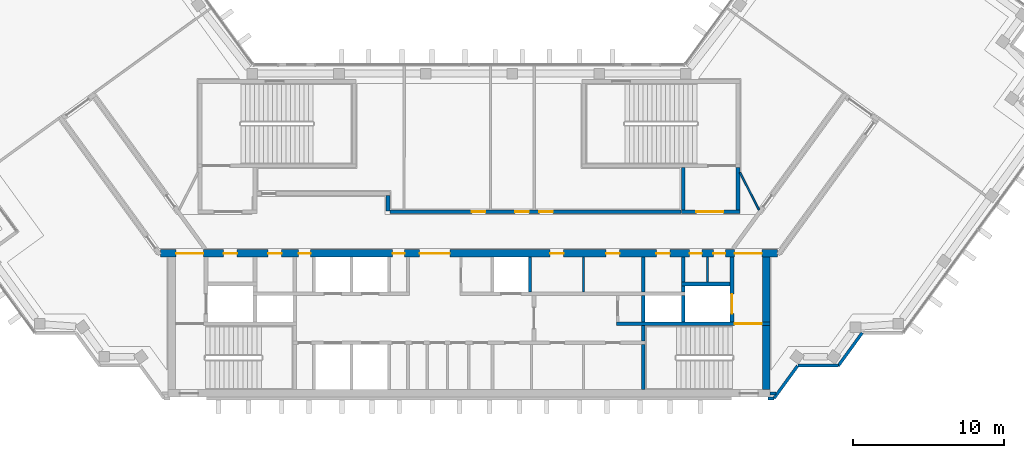
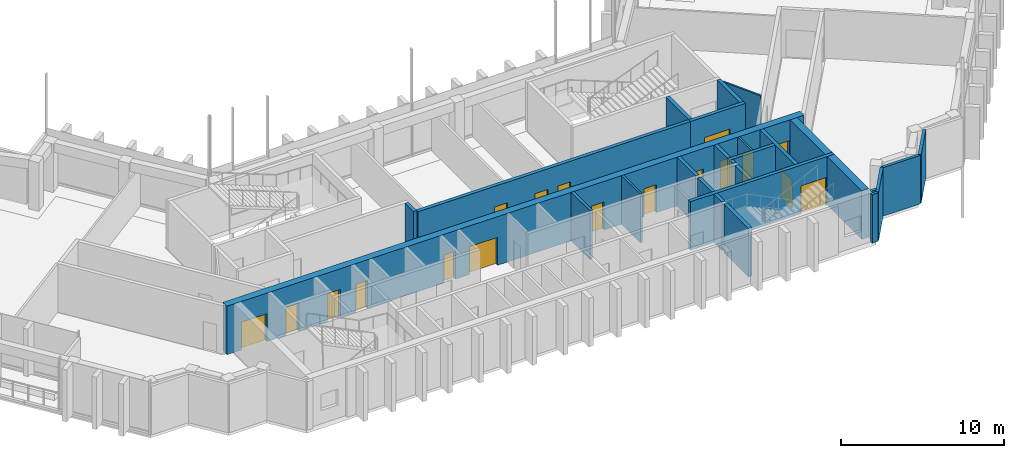
# One storey, part 11 of 14: 27 walls, 18 doors, 18 openings.
"""IFC4 building model written with IfcOpenShell, lengths in metres."""

from ifc_helpers import new_model, si_unit, direction, frame, frame_2d, origin, place, context, subcontext, project, spatial, rectangle, extrude, material, layer, layer_set, type_object, element, fill, save


model = new_model("IFC4")

# Units and contexts
model_context = context("Model", 3, precision=1e-05, world=origin(), true_north=direction((0.0, 1.0)))
body_context = subcontext(model_context, "Body", "Model", "MODEL_VIEW")
ifc_project = project(units=[si_unit("LENGTHUNIT", "METRE"), si_unit("AREAUNIT", "SQUARE_METRE"), si_unit("VOLUMEUNIT", "CUBIC_METRE"), si_unit("PLANEANGLEUNIT", "RADIAN"), si_unit("MASSUNIT", "GRAM", prefix="KILO")], contexts=[model_context])

# Site, building, storey
site_placement = place(None, origin())
site = spatial("IfcSite", under=ifc_project, at=site_placement, CompositionType="ELEMENT")
building_placement = place(site_placement, origin())
building = spatial("IfcBuilding", under=site, at=building_placement, Name="Quipu Civic Tower", CompositionType="ELEMENT")
storey_placement = place(building_placement, frame((0.0, 0.0, 257.0)))
storey = spatial("IfcBuildingStorey", under=building, at=storey_placement, Name="L60", CompositionType="ELEMENT", Elevation=257.0)

# Walls
ifc_material_1 = material(Name="Concrete C70/85", Category="concrete")
ifc_layer_1 = layer(ifc_material_1, 0.25)
ifc_layer_set_1 = layer_set([ifc_layer_1], Name="Concrete C70/85")
wall_type_1 = type_object("IfcWallType", Name="Core wall 250", PredefinedType="SHEAR", material=ifc_layer_set_1)
wall_1_placement = place(storey_placement, frame((11.574951171875, -10.5, 0.0), z_axis=(0.0, 0.0, 1.0), x_axis=(0.0, 1.0, 0.0)))
element("IfcWall", 1, at=wall_1_placement, inside=storey, type_object=wall_type_1, Name="Core wall", PredefinedType="SHEAR", context=body_context, shape_type="SweptSolid", body=[
    extrude(rectangle(XDim=3.0, YDim=0.25, at=frame_2d((1.5, 0.0))), origin(), (0.0, 0.0, 1.0), 3.64990234375),
])
wall_2_placement = place(storey_placement, frame((11.574951171875, -7.25, 0.0), z_axis=(0.0, 0.0, 1.0), x_axis=(0.0, 1.0, 0.0)))
element("IfcWall", 2, at=wall_2_placement, inside=storey, type_object=wall_type_1, Name="Core wall", PredefinedType="SHEAR", context=body_context, shape_type="SweptSolid", body=[
    extrude(rectangle(XDim=1.0, YDim=0.25, at=frame_2d((0.5, 0.0))), origin(), (0.0, 0.0, 1.0), 3.64990234375),
])

# Wall, opening, door
wall_3_placement = place(storey_placement, frame((20.0, -6.125, 0.0), z_axis=(0.0, 0.0, 1.0), x_axis=(-1.0, 0.0, 0.0)))
wall_3 = element("IfcWall", 3, at=wall_3_placement, inside=storey, type_object=wall_type_1, Name="Core wall", PredefinedType="SHEAR", context=body_context, shape_type="SweptSolid", body=[
    extrude(rectangle(XDim=10.199951171875, YDim=0.25, at=frame_2d((5.10009765625, 0.0))), origin(), (0.0, 0.0, 1.0), 3.64990234375),
])
opening_1_placement = place(wall_3_placement, frame((0.550048828125, 0.0, 0.0)))
opening_1 = element("IfcOpeningElement", 4, at=opening_1_placement, cuts=wall_3, Name="Opening CD-11", PredefinedType="OPENING", context=body_context, shape_type="SweptSolid", body=[
    extrude(rectangle(XDim=1.800048828125, YDim=2.10009765625, at=frame_2d((0.89990234375, 1.050048828125))), frame((0.0, 0.135009765625, 0.0), z_axis=(0.0, -1.0, 0.0), x_axis=(1.0, 0.0, 0.0)), (0.0, 0.0, 1.0), 0.27001953125),
])
ifc_material_2 = material(Name="Fire rated steel door", Category="steel")
door_type_1 = type_object("IfcDoorType", Name="Fire door FD90 double 1800 x 2100", OperationType="NOTDEFINED", PredefinedType="DOOR", material=ifc_material_2)
door_1_placement = place(opening_1_placement, origin())
door_1 = element("IfcDoor", 5, at=door_1_placement, inside=storey, type_object=door_type_1, Name="Door", OperationType="DOUBLE_DOOR_SINGLE_SWING", OverallHeight=2.10009765625, OverallWidth=1.800048828125, PredefinedType="DOOR", context=body_context, shape_type="SweptSolid", body=[
    extrude(rectangle(XDim=1.800048828125, YDim=2.10009765625, at=frame_2d((0.89990234375, 1.050048828125))), frame((0.0, 0.02490234375, 0.0), z_axis=(0.0, -1.0, 0.0), x_axis=(1.0, 0.0, 0.0)), (0.0, 0.0, 1.0), 0.050048828125),
])
fill(opening_1, door_1)

# Walls
for number, where, z_axis, x_axis, name in (
    (6, (11.574951171875, -6.0, 0.0), (0.0, 0.0, 1.0), (0.0, 1.0, 0.0), "Core wall"),
    (7, (14.22509765625, -6.0, 0.0), (0.0, 0.0, 1.0), (0.0, 1.0, 0.0), "Core wall"),
):
    element("IfcWall", number, at=place(storey_placement, frame(where, z_axis=z_axis, x_axis=x_axis)), inside=storey, type_object=wall_type_1, Name=name, PredefinedType="SHEAR", context=body_context, shape_type="SweptSolid", body=[
        extrude(rectangle(XDim=1.75, YDim=0.25, at=frame_2d((0.875, 0.0))), origin(), (0.0, 0.0, 1.0), 3.64990234375),
    ])

# Wall, opening, door
wall_4_placement = place(storey_placement, frame((17.47509765625, -6.0, 0.0), z_axis=(0.0, 0.0, 1.0), x_axis=(0.0, 1.0, 0.0)))
wall_4 = element("IfcWall", 8, at=wall_4_placement, inside=storey, type_object=wall_type_1, Name="Core wall", PredefinedType="SHEAR", context=body_context, shape_type="SweptSolid", body=[
    extrude(rectangle(XDim=4.300048828125, YDim=0.25, at=frame_2d((2.14990234375, 0.0))), origin(), (0.0, 0.0, 1.0), 3.64990234375),
])
opening_2_placement = place(wall_4_placement, frame((0.550048828125, 0.0, 0.0)))
opening_2 = element("IfcOpeningElement", 9, at=opening_2_placement, cuts=wall_4, Name="Opening LD-FF2", PredefinedType="OPENING", context=body_context, shape_type="SweptSolid", body=[
    extrude(rectangle(XDim=1.300048828125, YDim=2.10009765625, at=frame_2d((0.64990234375, 1.050048828125))), frame((0.0, 0.135009765625, 0.0), z_axis=(0.0, -1.0, 0.0), x_axis=(1.0, 0.0, 0.0)), (0.0, 0.0, 1.0), 0.27001953125),
])
ifc_material_3 = material(Name="Stainless steel", Category="steel")
door_type_2 = type_object("IfcDoorType", Name="Lift landing door 1300 x 2100", OperationType="DOUBLE_DOOR_SLIDING", PredefinedType="DOOR", material=ifc_material_3)
door_2_placement = place(opening_2_placement, origin())
door_2 = element("IfcDoor", 10, at=door_2_placement, inside=storey, type_object=door_type_2, Name="Landing door FF2", OperationType="DOUBLE_DOOR_SLIDING", OverallHeight=2.10009765625, OverallWidth=1.300048828125, PredefinedType="DOOR", context=body_context, shape_type="SweptSolid", body=[
    extrude(rectangle(XDim=1.300048828125, YDim=2.10009765625, at=frame_2d((0.64990234375, 1.050048828125))), frame((0.0, 0.02490234375, 0.0), z_axis=(0.0, -1.0, 0.0), x_axis=(1.0, 0.0, 0.0)), (0.0, 0.0, 1.0), 0.050048828125),
])
fill(opening_2, door_2)

# Walls
wall_5_placement = place(storey_placement, frame((11.574951171875, -4.0, 0.0), z_axis=(0.0, 0.0, 1.0), x_axis=(0.0, 1.0, 0.0)))
element("IfcWall", 11, at=wall_5_placement, inside=storey, type_object=wall_type_1, Name="Core wall", PredefinedType="SHEAR", context=body_context, shape_type="SweptSolid", body=[
    extrude(rectangle(XDim=2.300048828125, YDim=0.25, at=frame_2d((1.14990234375, 0.0))), origin(), (0.0, 0.0, 1.0), 3.64990234375),
])
wall_6_placement = place(storey_placement, frame((14.22509765625, -4.0, 0.0), z_axis=(0.0, 0.0, 1.0), x_axis=(0.0, 1.0, 0.0)))
element("IfcWall", 12, at=wall_6_placement, inside=storey, type_object=wall_type_1, Name="Core wall", PredefinedType="SHEAR", context=body_context, shape_type="SweptSolid", body=[
    extrude(rectangle(XDim=0.39990234375, YDim=0.25, at=frame_2d((0.199951171875, 0.0))), origin(), (0.0, 0.0, 1.0), 3.64990234375),
])
wall_7_placement = place(storey_placement, frame((14.10009765625, -3.47509765625, 0.0), z_axis=(0.0, 0.0, 1.0), x_axis=(1.0, 0.0, 0.0)))
element("IfcWall", 13, at=wall_7_placement, inside=storey, type_object=wall_type_1, Name="Core wall", PredefinedType="SHEAR", context=body_context, shape_type="SweptSolid", body=[
    extrude(rectangle(XDim=3.25, YDim=0.25, at=frame_2d((1.625, 0.0))), origin(), (0.0, 0.0, 1.0), 3.64990234375),
])
wall_8_placement = place(storey_placement, frame((14.22509765625, -3.35009765625, 0.0), z_axis=(0.0, 0.0, 1.0), x_axis=(0.0, 1.0, 0.0)))
element("IfcWall", 14, at=wall_8_placement, inside=storey, type_object=wall_type_1, Name="Core wall", PredefinedType="SHEAR", context=body_context, shape_type="SweptSolid", body=[
    extrude(rectangle(XDim=1.650146484375, YDim=0.25, at=frame_2d((0.8251953125, 0.0))), origin(), (0.0, 0.0, 1.0), 3.64990234375),
])

# Wall, opening, door
wall_9_placement = place(storey_placement, frame((14.10009765625, 1.324951171875, 0.0), z_axis=(0.0, 0.0, 1.0), x_axis=(1.0, 0.0, 0.0)))
wall_9 = element("IfcWall", 15, at=wall_9_placement, inside=storey, type_object=wall_type_1, Name="Core wall", PredefinedType="SHEAR", context=body_context, shape_type="SweptSolid", body=[
    extrude(rectangle(XDim=3.89990234375, YDim=0.25, at=frame_2d((1.949951171875, 0.0))), origin(), (0.0, 0.0, 1.0), 3.64990234375),
])
opening_3_placement = place(wall_9_placement, frame((1.0, 0.0, 0.0)))
opening_3 = element("IfcOpeningElement", 16, at=opening_3_placement, cuts=wall_9, Name="Opening CD-29", PredefinedType="OPENING", context=body_context, shape_type="SweptSolid", body=[
    extrude(rectangle(XDim=1.800048828125, YDim=2.10009765625, at=frame_2d((0.89990234375, 1.050048828125))), frame((0.0, 0.135009765625, 0.0), z_axis=(0.0, -1.0, 0.0), x_axis=(1.0, 0.0, 0.0)), (0.0, 0.0, 1.0), 0.27001953125),
])
door_3_placement = place(opening_3_placement, origin())
door_3 = element("IfcDoor", 17, at=door_3_placement, inside=storey, type_object=door_type_1, Name="Lobby door", OperationType="DOUBLE_DOOR_SINGLE_SWING", OverallHeight=2.10009765625, OverallWidth=1.800048828125, PredefinedType="DOOR", context=body_context, shape_type="SweptSolid", body=[
    extrude(rectangle(XDim=1.800048828125, YDim=2.10009765625, at=frame_2d((0.89990234375, 1.050048828125))), frame((0.0, 0.02490234375, 0.0), z_axis=(0.0, -1.0, 0.0), x_axis=(1.0, 0.0, 0.0)), (0.0, 0.0, 1.0), 0.050048828125),
])
fill(opening_3, door_3)

# Walls
for number, where, z_axis, x_axis, name in (
    (18, (14.22509765625, 1.449951171875, 0.0), (0.0, 0.0, 1.0), (0.0, 1.0, 0.0), "Core wall"),
    (19, (17.875, 1.449951171875, 0.0), (0.0, 0.0, 1.0), (0.0, 1.0, 0.0), "Core wall"),
):
    element("IfcWall", number, at=place(storey_placement, frame(where, z_axis=z_axis, x_axis=x_axis)), inside=storey, type_object=wall_type_1, Name=name, PredefinedType="SHEAR", context=body_context, shape_type="SweptSolid", body=[
        extrude(rectangle(XDim=2.800048828125, YDim=0.25, at=frame_2d((1.39990234375, 0.0))), origin(), (0.0, 0.0, 1.0), 3.64990234375),
    ])
ifc_material_4 = material(Name="Concrete C70/85", Category="concrete")
ifc_layer_2 = layer(ifc_material_4, 0.5)
ifc_layer_set_2 = layer_set([ifc_layer_2], Name="Concrete C70/85")
wall_type_2 = type_object("IfcWallType", Name="Core wall 500", PredefinedType="SHEAR", material=ifc_layer_set_2)
wall_10_placement = place(storey_placement, frame((19.75, -10.5, 0.0), z_axis=(0.0, 0.0, 1.0), x_axis=(0.0, 1.0, 0.0)))
element("IfcWall", 20, at=wall_10_placement, inside=storey, type_object=wall_type_2, Name="Core wall", PredefinedType="SHEAR", context=body_context, shape_type="SweptSolid", body=[
    extrude(rectangle(XDim=4.25, YDim=0.5, at=frame_2d((2.125, 0.0))), origin(), (0.0, 0.0, 1.0), 3.64990234375),
])
wall_11_placement = place(storey_placement, frame((19.75, -6.0, 0.0), z_axis=(0.0, 0.0, 1.0), x_axis=(0.0, 1.0, 0.0)))
element("IfcWall", 21, at=wall_11_placement, inside=storey, type_object=wall_type_2, Name="Core wall", PredefinedType="SHEAR", context=body_context, shape_type="SweptSolid", body=[
    extrude(rectangle(XDim=4.300048828125, YDim=0.5, at=frame_2d((2.14990234375, 0.0))), origin(), (0.0, 0.0, 1.0), 3.64990234375),
])

# Wall, openings, doors
wall_12_placement = place(storey_placement, frame((20.489990234375, -1.449951171875, 0.0), z_axis=(0.0, 0.0, 1.0), x_axis=(-1.0, 0.0, 0.0)))
wall_12 = element("IfcWall", 22, at=wall_12_placement, inside=storey, type_object=wall_type_2, Name="Core wall", PredefinedType="SHEAR", context=body_context, shape_type="SweptSolid", body=[
    extrude(rectangle(XDim=40.97998046875, YDim=0.5, at=frame_2d((20.489990234375, 0.0))), origin(), (0.0, 0.0, 1.0), 3.64990234375),
])
opening_4_placement = place(wall_12_placement, frame((38.139892578125, 0.0, 0.0)))
opening_4 = element("IfcOpeningElement", 23, at=opening_4_placement, cuts=wall_12, Name="Opening CD-15", PredefinedType="OPENING", context=body_context, shape_type="SweptSolid", body=[
    extrude(rectangle(XDim=1.800048828125, YDim=2.10009765625, at=frame_2d((0.89990234375, 1.050048828125))), frame((0.0, 0.260009765625, 0.0), z_axis=(0.0, -1.0, 0.0), x_axis=(1.0, 0.0, 0.0)), (0.0, 0.0, 1.0), 0.52001953125),
])
opening_5_placement = place(wall_12_placement, frame((35.889892578125, 0.0, 0.0)))
opening_5 = element("IfcOpeningElement", 24, at=opening_5_placement, cuts=wall_12, Name="Opening CD-16", PredefinedType="OPENING", context=body_context, shape_type="SweptSolid", body=[
    extrude(rectangle(XDim=0.89990234375, YDim=2.10009765625, at=frame_2d((0.449951171875, 1.050048828125))), frame((0.0, 0.260009765625, 0.0), z_axis=(0.0, -1.0, 0.0), x_axis=(1.0, 0.0, 0.0)), (0.0, 0.0, 1.0), 0.52001953125),
])
opening_6_placement = place(wall_12_placement, frame((32.93994140625, 0.0, 0.0)))
opening_6 = element("IfcOpeningElement", 25, at=opening_6_placement, cuts=wall_12, Name="Opening CD-17", PredefinedType="OPENING", context=body_context, shape_type="SweptSolid", body=[
    extrude(rectangle(XDim=0.89990234375, YDim=2.10009765625, at=frame_2d((0.449951171875, 1.050048828125))), frame((0.0, 0.260009765625, 0.0), z_axis=(0.0, -1.0, 0.0), x_axis=(1.0, 0.0, 0.0)), (0.0, 0.0, 1.0), 0.52001953125),
])
opening_7_placement = place(wall_12_placement, frame((31.014892578125, 0.0, 0.0)))
opening_7 = element("IfcOpeningElement", 26, at=opening_7_placement, cuts=wall_12, Name="Opening CD-18", PredefinedType="OPENING", context=body_context, shape_type="SweptSolid", body=[
    extrude(rectangle(XDim=0.800048828125, YDim=2.10009765625, at=frame_2d((0.39990234375, 1.050048828125))), frame((0.0, 0.260009765625, 0.0), z_axis=(0.0, -1.0, 0.0), x_axis=(1.0, 0.0, 0.0)), (0.0, 0.0, 1.0), 0.52001953125),
])
opening_8_placement = place(wall_12_placement, frame((24.764892578125, 0.0, 0.0)))
opening_8 = element("IfcOpeningElement", 27, at=opening_8_placement, cuts=wall_12, Name="Opening CD-19", PredefinedType="OPENING", context=body_context, shape_type="SweptSolid", body=[
    extrude(rectangle(XDim=0.800048828125, YDim=2.10009765625, at=frame_2d((0.39990234375, 1.050048828125))), frame((0.0, 0.260009765625, 0.0), z_axis=(0.0, -1.0, 0.0), x_axis=(1.0, 0.0, 0.0)), (0.0, 0.0, 1.0), 0.52001953125),
])
opening_9_placement = place(wall_12_placement, frame((21.764892578125, 0.0, 0.0)))
opening_9 = element("IfcOpeningElement", 28, at=opening_9_placement, cuts=wall_12, Name="Opening CD-20", PredefinedType="OPENING", context=body_context, shape_type="SweptSolid", body=[
    extrude(rectangle(XDim=2.0, YDim=2.10009765625, at=frame_2d((1.0, 1.050048828125))), frame((0.0, 0.260009765625, 0.0), z_axis=(0.0, -1.0, 0.0), x_axis=(1.0, 0.0, 0.0)), (0.0, 0.0, 1.0), 0.52001953125),
])
opening_10_placement = place(wall_12_placement, frame((14.202392578125, 0.0, 0.0)))
opening_10 = element("IfcOpeningElement", 29, at=opening_10_placement, cuts=wall_12, Name="Opening CD-21", PredefinedType="OPENING", context=body_context, shape_type="SweptSolid", body=[
    extrude(rectangle(XDim=0.89990234375, YDim=2.10009765625, at=frame_2d((0.449951171875, 1.050048828125))), frame((0.0, 0.260009765625, 0.0), z_axis=(0.0, -1.0, 0.0), x_axis=(1.0, 0.0, 0.0)), (0.0, 0.0, 1.0), 0.52001953125),
])
opening_11_placement = place(wall_12_placement, frame((10.4775390625, 0.0, 0.0)))
opening_11 = element("IfcOpeningElement", 30, at=opening_11_placement, cuts=wall_12, Name="Opening CD-22", PredefinedType="OPENING", context=body_context, shape_type="SweptSolid", body=[
    extrude(rectangle(XDim=0.89990234375, YDim=2.10009765625, at=frame_2d((0.449951171875, 1.050048828125))), frame((0.0, 0.260009765625, 0.0), z_axis=(0.0, -1.0, 0.0), x_axis=(1.0, 0.0, 0.0)), (0.0, 0.0, 1.0), 0.52001953125),
])
opening_12_placement = place(wall_12_placement, frame((7.139892578125, 0.0, 0.0)))
opening_12 = element("IfcOpeningElement", 31, at=opening_12_placement, cuts=wall_12, Name="Opening CD-23", PredefinedType="OPENING", context=body_context, shape_type="SweptSolid", body=[
    extrude(rectangle(XDim=0.89990234375, YDim=2.10009765625, at=frame_2d((0.449951171875, 1.050048828125))), frame((0.0, 0.260009765625, 0.0), z_axis=(0.0, -1.0, 0.0), x_axis=(1.0, 0.0, 0.0)), (0.0, 0.0, 1.0), 0.52001953125),
])
opening_13_placement = place(wall_12_placement, frame((5.027587890625, 0.0, 0.0)))
opening_13 = element("IfcOpeningElement", 32, at=opening_13_placement, cuts=wall_12, Name="Opening CD-24", PredefinedType="OPENING", context=body_context, shape_type="SweptSolid", body=[
    extrude(rectangle(XDim=0.800048828125, YDim=2.10009765625, at=frame_2d((0.39990234375, 1.050048828125))), frame((0.0, 0.260009765625, 0.0), z_axis=(0.0, -1.0, 0.0), x_axis=(1.0, 0.0, 0.0)), (0.0, 0.0, 1.0), 0.52001953125),
])
opening_14_placement = place(wall_12_placement, frame((3.452392578125, 0.0, 0.0)))
opening_14 = element("IfcOpeningElement", 33, at=opening_14_placement, cuts=wall_12, Name="Opening CD-25", PredefinedType="OPENING", context=body_context, shape_type="SweptSolid", body=[
    extrude(rectangle(XDim=0.800048828125, YDim=2.10009765625, at=frame_2d((0.39990234375, 1.050048828125))), frame((0.0, 0.260009765625, 0.0), z_axis=(0.0, -1.0, 0.0), x_axis=(1.0, 0.0, 0.0)), (0.0, 0.0, 1.0), 0.52001953125),
])
opening_15_placement = place(wall_12_placement, frame((1.0400390625, 0.0, 0.0)))
opening_15 = element("IfcOpeningElement", 34, at=opening_15_placement, cuts=wall_12, Name="Opening CD-26", PredefinedType="OPENING", context=body_context, shape_type="SweptSolid", body=[
    extrude(rectangle(XDim=1.800048828125, YDim=2.10009765625, at=frame_2d((0.89990234375, 1.050048828125))), frame((0.0, 0.260009765625, 0.0), z_axis=(0.0, -1.0, 0.0), x_axis=(1.0, 0.0, 0.0)), (0.0, 0.0, 1.0), 0.52001953125),
])
ifc_material_5 = material(Name="Fire rated steel door", Category="steel")
door_type_3 = type_object("IfcDoorType", Name="Fire door FD60 800 x 2100", OperationType="NOTDEFINED", PredefinedType="DOOR", material=ifc_material_5)
door_4_placement = place(opening_7_placement, origin())
door_4 = element("IfcDoor", 35, at=door_4_placement, inside=storey, type_object=door_type_3, Name="Door", OperationType="SINGLE_SWING_RIGHT", OverallHeight=2.10009765625, OverallWidth=0.800048828125, PredefinedType="DOOR", context=body_context, shape_type="SweptSolid", body=[
    extrude(rectangle(XDim=0.800048828125, YDim=2.10009765625, at=frame_2d((0.39990234375, 1.050048828125))), frame((0.0, 0.02490234375, 0.0), z_axis=(0.0, -1.0, 0.0), x_axis=(1.0, 0.0, 0.0)), (0.0, 0.0, 1.0), 0.050048828125),
])
fill(opening_7, door_4)
door_5_placement = place(opening_8_placement, origin())
door_5 = element("IfcDoor", 36, at=door_5_placement, inside=storey, type_object=door_type_3, Name="Door", OperationType="SINGLE_SWING_RIGHT", OverallHeight=2.10009765625, OverallWidth=0.800048828125, PredefinedType="DOOR", context=body_context, shape_type="SweptSolid", body=[
    extrude(rectangle(XDim=0.800048828125, YDim=2.10009765625, at=frame_2d((0.39990234375, 1.050048828125))), frame((0.0, 0.02490234375, 0.0), z_axis=(0.0, -1.0, 0.0), x_axis=(1.0, 0.0, 0.0)), (0.0, 0.0, 1.0), 0.050048828125),
])
fill(opening_8, door_5)
door_6_placement = place(opening_13_placement, origin())
door_6 = element("IfcDoor", 37, at=door_6_placement, inside=storey, type_object=door_type_3, Name="Door", OperationType="SINGLE_SWING_LEFT", OverallHeight=2.10009765625, OverallWidth=0.800048828125, PredefinedType="DOOR", context=body_context, shape_type="SweptSolid", body=[
    extrude(rectangle(XDim=0.800048828125, YDim=2.10009765625, at=frame_2d((0.39990234375, 1.050048828125))), frame((0.0, 0.02490234375, 0.0), z_axis=(0.0, -1.0, 0.0), x_axis=(1.0, 0.0, 0.0)), (0.0, 0.0, 1.0), 0.050048828125),
])
fill(opening_13, door_6)
door_7_placement = place(opening_14_placement, origin())
door_7 = element("IfcDoor", 38, at=door_7_placement, inside=storey, type_object=door_type_3, Name="Door", OperationType="SINGLE_SWING_LEFT", OverallHeight=2.10009765625, OverallWidth=0.800048828125, PredefinedType="DOOR", context=body_context, shape_type="SweptSolid", body=[
    extrude(rectangle(XDim=0.800048828125, YDim=2.10009765625, at=frame_2d((0.39990234375, 1.050048828125))), frame((0.0, 0.02490234375, 0.0), z_axis=(0.0, -1.0, 0.0), x_axis=(1.0, 0.0, 0.0)), (0.0, 0.0, 1.0), 0.050048828125),
])
fill(opening_14, door_7)
ifc_material_6 = material(Name="Fire rated steel door", Category="steel")
door_type_4 = type_object("IfcDoorType", Name="Fire door FD60 900 x 2100", OperationType="NOTDEFINED", PredefinedType="DOOR", material=ifc_material_6)
door_8_placement = place(opening_5_placement, origin())
door_8 = element("IfcDoor", 39, at=door_8_placement, inside=storey, type_object=door_type_4, Name="Door", OperationType="SINGLE_SWING_RIGHT", OverallHeight=2.10009765625, OverallWidth=0.89990234375, PredefinedType="DOOR", context=body_context, shape_type="SweptSolid", body=[
    extrude(rectangle(XDim=0.89990234375, YDim=2.10009765625, at=frame_2d((0.449951171875, 1.050048828125))), frame((0.0, 0.02490234375, 0.0), z_axis=(0.0, -1.0, 0.0), x_axis=(1.0, 0.0, 0.0)), (0.0, 0.0, 1.0), 0.050048828125),
])
fill(opening_5, door_8)
door_9_placement = place(opening_6_placement, origin())
door_9 = element("IfcDoor", 40, at=door_9_placement, inside=storey, type_object=door_type_4, Name="Riser door", OperationType="SINGLE_SWING_RIGHT", OverallHeight=2.10009765625, OverallWidth=0.89990234375, PredefinedType="DOOR", context=body_context, shape_type="SweptSolid", body=[
    extrude(rectangle(XDim=0.89990234375, YDim=2.10009765625, at=frame_2d((0.449951171875, 1.050048828125))), frame((0.0, 0.02490234375, 0.0), z_axis=(0.0, -1.0, 0.0), x_axis=(1.0, 0.0, 0.0)), (0.0, 0.0, 1.0), 0.050048828125),
])
fill(opening_6, door_9)
door_10_placement = place(opening_10_placement, origin())
door_10 = element("IfcDoor", 41, at=door_10_placement, inside=storey, type_object=door_type_4, Name="Door", OperationType="SINGLE_SWING_LEFT", OverallHeight=2.10009765625, OverallWidth=0.89990234375, PredefinedType="DOOR", context=body_context, shape_type="SweptSolid", body=[
    extrude(rectangle(XDim=0.89990234375, YDim=2.10009765625, at=frame_2d((0.449951171875, 1.050048828125))), frame((0.0, 0.02490234375, 0.0), z_axis=(0.0, -1.0, 0.0), x_axis=(1.0, 0.0, 0.0)), (0.0, 0.0, 1.0), 0.050048828125),
])
fill(opening_10, door_10)
door_11_placement = place(opening_11_placement, origin())
door_11 = element("IfcDoor", 42, at=door_11_placement, inside=storey, type_object=door_type_4, Name="Door", OperationType="SINGLE_SWING_LEFT", OverallHeight=2.10009765625, OverallWidth=0.89990234375, PredefinedType="DOOR", context=body_context, shape_type="SweptSolid", body=[
    extrude(rectangle(XDim=0.89990234375, YDim=2.10009765625, at=frame_2d((0.449951171875, 1.050048828125))), frame((0.0, 0.02490234375, 0.0), z_axis=(0.0, -1.0, 0.0), x_axis=(1.0, 0.0, 0.0)), (0.0, 0.0, 1.0), 0.050048828125),
])
fill(opening_11, door_11)
door_12_placement = place(opening_12_placement, origin())
door_12 = element("IfcDoor", 43, at=door_12_placement, inside=storey, type_object=door_type_4, Name="Riser door", OperationType="SINGLE_SWING_LEFT", OverallHeight=2.10009765625, OverallWidth=0.89990234375, PredefinedType="DOOR", context=body_context, shape_type="SweptSolid", body=[
    extrude(rectangle(XDim=0.89990234375, YDim=2.10009765625, at=frame_2d((0.449951171875, 1.050048828125))), frame((0.0, 0.02490234375, 0.0), z_axis=(0.0, -1.0, 0.0), x_axis=(1.0, 0.0, 0.0)), (0.0, 0.0, 1.0), 0.050048828125),
])
fill(opening_12, door_12)
door_13_placement = place(opening_4_placement, origin())
door_13 = element("IfcDoor", 44, at=door_13_placement, inside=storey, type_object=door_type_1, Name="Lobby door", OperationType="DOUBLE_DOOR_SINGLE_SWING", OverallHeight=2.10009765625, OverallWidth=1.800048828125, PredefinedType="DOOR", context=body_context, shape_type="SweptSolid", body=[
    extrude(rectangle(XDim=1.800048828125, YDim=2.10009765625, at=frame_2d((0.89990234375, 1.050048828125))), frame((0.0, 0.02490234375, 0.0), z_axis=(0.0, -1.0, 0.0), x_axis=(1.0, 0.0, 0.0)), (0.0, 0.0, 1.0), 0.050048828125),
])
fill(opening_4, door_13)
door_14_placement = place(opening_15_placement, origin())
door_14 = element("IfcDoor", 45, at=door_14_placement, inside=storey, type_object=door_type_1, Name="Lobby door", OperationType="DOUBLE_DOOR_SINGLE_SWING", OverallHeight=2.10009765625, OverallWidth=1.800048828125, PredefinedType="DOOR", context=body_context, shape_type="SweptSolid", body=[
    extrude(rectangle(XDim=1.800048828125, YDim=2.10009765625, at=frame_2d((0.89990234375, 1.050048828125))), frame((0.0, 0.02490234375, 0.0), z_axis=(0.0, -1.0, 0.0), x_axis=(1.0, 0.0, 0.0)), (0.0, 0.0, 1.0), 0.050048828125),
])
fill(opening_15, door_14)
ifc_material_7 = material(Name="Fire rated steel door", Category="steel")
door_type_5 = type_object("IfcDoorType", Name="Fire door FD90 double 2000 x 2100", OperationType="NOTDEFINED", PredefinedType="DOOR", material=ifc_material_7)
door_15_placement = place(opening_9_placement, origin())
door_15 = element("IfcDoor", 46, at=door_15_placement, inside=storey, type_object=door_type_5, Name="Lobby door", OperationType="DOUBLE_DOOR_SINGLE_SWING", OverallHeight=2.10009765625, OverallWidth=2.0, PredefinedType="DOOR", context=body_context, shape_type="SweptSolid", body=[
    extrude(rectangle(XDim=2.0, YDim=2.10009765625, at=frame_2d((1.0, 1.050048828125))), frame((0.0, 0.02490234375, 0.0), z_axis=(0.0, -1.0, 0.0), x_axis=(1.0, 0.0, 0.0)), (0.0, 0.0, 1.0), 0.050048828125),
])
fill(opening_9, door_15)

# Wall
ifc_material_8 = material(Name="Concrete C50/60", Category="concrete")
ifc_layer_3 = layer(ifc_material_8, 0.25)
ifc_layer_set_3 = layer_set([ifc_layer_3], Name="Concrete C50/60")
wall_type_3 = type_object("IfcWallType", Name="Corridor wall 250 concrete", PredefinedType="SOLIDWALL", material=ifc_layer_set_3)
wall_13_placement = place(storey_placement, frame((-5.375, 2.39990234375, 0.0), z_axis=(0.0, 0.0, 1.0), x_axis=(0.0, -1.0, 0.0)))
element("IfcWall", 47, at=wall_13_placement, inside=storey, type_object=wall_type_3, Name="Corridor wall C08", PredefinedType="SOLIDWALL", context=body_context, shape_type="SweptSolid", body=[
    extrude(rectangle(XDim=1.041259765625, YDim=0.25, at=frame_2d((0.5205078125, 0.0))), origin(), (0.0, 0.0, 1.0), 3.64990234375),
])

# Wall, openings, doors
wall_14_placement = place(storey_placement, frame((-5.246337890625, 1.324951171875, 0.0), z_axis=(0.0, 0.0, 1.0), x_axis=(1.0, 0.0, 0.0)))
wall_14 = element("IfcWall", 48, at=wall_14_placement, inside=storey, type_object=wall_type_3, Name="Corridor wall C09", PredefinedType="SOLIDWALL", context=body_context, shape_type="SweptSolid", body=[
    extrude(rectangle(XDim=19.33642578125, YDim=0.25, at=frame_2d((9.668212890625, 0.0))), origin(), (0.0, 0.0, 1.0), 3.64990234375),
])
opening_16_placement = place(wall_14_placement, frame((5.435302734375, 0.0, 0.0)))
opening_16 = element("IfcOpeningElement", 49, at=opening_16_placement, cuts=wall_14, Name="Opening D005", PredefinedType="OPENING", context=body_context, shape_type="SweptSolid", body=[
    extrude(rectangle(XDim=0.89990234375, YDim=2.10009765625, at=frame_2d((0.449951171875, 1.050048828125))), frame((0.0, 0.135009765625, 0.0), z_axis=(0.0, -1.0, 0.0), x_axis=(1.0, 0.0, 0.0)), (0.0, 0.0, 1.0), 0.27001953125),
])
opening_17_placement = place(wall_14_placement, frame((9.915283203125, 0.0, 0.0)))
opening_17 = element("IfcOpeningElement", 50, at=opening_17_placement, cuts=wall_14, Name="Opening D007", PredefinedType="OPENING", context=body_context, shape_type="SweptSolid", body=[
    extrude(rectangle(XDim=0.89990234375, YDim=2.10009765625, at=frame_2d((0.449951171875, 1.050048828125))), frame((0.0, 0.135009765625, 0.0), z_axis=(0.0, -1.0, 0.0), x_axis=(1.0, 0.0, 0.0)), (0.0, 0.0, 1.0), 0.27001953125),
])
opening_18_placement = place(wall_14_placement, frame((8.315185546875, 0.0, 0.0)))
opening_18 = element("IfcOpeningElement", 51, at=opening_18_placement, cuts=wall_14, Name="Opening D006", PredefinedType="OPENING", context=body_context, shape_type="SweptSolid", body=[
    extrude(rectangle(XDim=0.89990234375, YDim=2.10009765625, at=frame_2d((0.449951171875, 1.050048828125))), frame((0.0, 0.135009765625, 0.0), z_axis=(0.0, -1.0, 0.0), x_axis=(1.0, 0.0, 0.0)), (0.0, 0.0, 1.0), 0.27001953125),
])
ifc_material_9 = material(Name="Fire rated timber door set with metal frame", Category="wood")
door_type_6 = type_object("IfcDoorType", Name="Single door 900 x 2100 FD60", OperationType="NOTDEFINED", PredefinedType="DOOR", material=ifc_material_9)
door_16_placement = place(opening_16_placement, origin())
door_16 = element("IfcDoor", 52, at=door_16_placement, inside=storey, type_object=door_type_6, Name="Door D005", OperationType="SINGLE_SWING_RIGHT", OverallHeight=2.10009765625, OverallWidth=0.89990234375, PredefinedType="DOOR", context=body_context, shape_type="SweptSolid", body=[
    extrude(rectangle(XDim=0.89990234375, YDim=2.10009765625, at=frame_2d((0.449951171875, 1.050048828125))), frame((0.0, 0.02490234375, 0.0), z_axis=(0.0, -1.0, 0.0), x_axis=(1.0, 0.0, 0.0)), (0.0, 0.0, 1.0), 0.050048828125),
])
fill(opening_16, door_16)
door_17_placement = place(opening_17_placement, origin())
door_17 = element("IfcDoor", 53, at=door_17_placement, inside=storey, type_object=door_type_6, Name="Door D007", OperationType="SINGLE_SWING_LEFT", OverallHeight=2.10009765625, OverallWidth=0.89990234375, PredefinedType="DOOR", context=body_context, shape_type="SweptSolid", body=[
    extrude(rectangle(XDim=0.89990234375, YDim=2.10009765625, at=frame_2d((0.449951171875, 1.050048828125))), frame((0.0, 0.02490234375, 0.0), z_axis=(0.0, -1.0, 0.0), x_axis=(1.0, 0.0, 0.0)), (0.0, 0.0, 1.0), 0.050048828125),
])
fill(opening_17, door_17)
door_18_placement = place(opening_18_placement, origin())
door_18 = element("IfcDoor", 54, at=door_18_placement, inside=storey, type_object=door_type_6, Name="Door D006", OperationType="SINGLE_SWING_RIGHT", OverallHeight=2.10009765625, OverallWidth=0.89990234375, PredefinedType="DOOR", context=body_context, shape_type="SweptSolid", body=[
    extrude(rectangle(XDim=0.89990234375, YDim=2.10009765625, at=frame_2d((0.449951171875, 1.050048828125))), frame((0.0, 0.02490234375, 0.0), z_axis=(0.0, -1.0, 0.0), x_axis=(1.0, 0.0, 0.0)), (0.0, 0.0, 1.0), 0.050048828125),
])
fill(opening_18, door_18)

# Walls
ifc_material_10 = material(Name="Gypsum plasterboard on light gauge framing")
ifc_layer_4 = layer(ifc_material_10, 0.1201171875)
ifc_layer_set_4 = layer_set([ifc_layer_4], Name="Gypsum plasterboard on light gauge framing")
wall_type_4 = type_object("IfcWallType", Name="Partition 120 plasterboard", PredefinedType="PARTITIONING", material=ifc_layer_set_4)
wall_15_placement = place(storey_placement, frame((18.0, 3.925048828125, 0.0), z_axis=(0.0, 0.0, 1.0), x_axis=(0.453950796792, -0.891026752736, 0.0)))
element("IfcWall", 55, at=wall_15_placement, inside=storey, type_object=wall_type_4, Name="Partition P08", PredefinedType="PARTITIONING", context=body_context, shape_type="SweptSolid", body=[
    extrude(rectangle(XDim=2.77783203125, YDim=0.1201171875, at=frame_2d((1.388916015625, 0.0))), origin(), (0.0, 0.0, 1.0), 3.64990234375),
])
ifc_material_11 = material(Name="Gypsum board partition")
ifc_layer_5 = layer(ifc_material_11, 0.14990234375)
ifc_layer_set_5 = layer_set([ifc_layer_5], Name="Gypsum board partition")
wall_type_5 = type_object("IfcWallType", Name="Partition 150", PredefinedType="PARTITIONING", material=ifc_layer_set_5)
wall_16_placement = place(storey_placement, frame((7.60009765625, -4.0, 0.0), z_axis=(0.0, 0.0, 1.0), x_axis=(0.0, 1.0, 0.0)))
element("IfcWall", 56, at=wall_16_placement, inside=storey, type_object=wall_type_5, Name="Partition", PredefinedType="PARTITIONING", context=body_context, shape_type="SweptSolid", body=[
    extrude(rectangle(XDim=2.300048828125, YDim=0.14990234375, at=frame_2d((1.14990234375, 0.0))), origin(), (0.0, 0.0, 1.0), 3.64990234375),
])
wall_17_placement = place(storey_placement, frame((15.85009765625, -3.35009765625, 0.0), z_axis=(0.0, 0.0, 1.0), x_axis=(0.0, 1.0, 0.0)))
element("IfcWall", 57, at=wall_17_placement, inside=storey, type_object=wall_type_5, Name="Partition", PredefinedType="PARTITIONING", context=body_context, shape_type="SweptSolid", body=[
    extrude(rectangle(XDim=1.650146484375, YDim=0.14990234375, at=frame_2d((0.8251953125, 0.0))), origin(), (0.0, 0.0, 1.0), 3.64990234375),
])
ifc_material_12 = material(Name="Precast concrete C40/50", Category="concrete")
wall_type_6 = type_object("IfcWallType", Name="Precast cladding wall", PredefinedType="SOLIDWALL", material=ifc_material_12)
wall_18_placement = place(storey_placement, frame((19.85009765625, -11.087890625, 0.0), z_axis=(0.0, 0.0, 1.0), x_axis=(1.0, 0.0, 0.0)))
element("IfcWall", 58, at=wall_18_placement, inside=storey, type_object=wall_type_6, Name="Precast cladding wall L60 P05", PredefinedType="SOLIDWALL", context=body_context, shape_type="SweptSolid", body=[
    extrude(rectangle(XDim=0.40576171875, YDim=0.199951171875, at=frame_2d((0.202880859375, 0.0))), origin(), (0.0, 0.0, 1.0), 3.64990234375),
])
wall_19_placement = place(storey_placement, frame((20.253173828125, -11.083251953125, 0.0), z_axis=(0.0, 0.0, 1.0), x_axis=(0.587766567315, 0.809030569476, 0.0)))
element("IfcWall", 59, at=wall_19_placement, inside=storey, type_object=wall_type_6, Name="Precast cladding wall L60 P06", PredefinedType="SOLIDWALL", context=body_context, shape_type="SweptSolid", body=[
    extrude(rectangle(XDim=2.687744140625, YDim=0.199951171875, at=frame_2d((1.34375, 0.0))), origin(), (0.0, 0.0, 1.0), 3.64990234375),
])
wall_20_placement = place(storey_placement, frame((21.8427734375, -8.90380859375, 0.0), z_axis=(0.0, 0.0, 1.0), x_axis=(1.0, 0.0, 0.0)))
element("IfcWall", 60, at=wall_20_placement, inside=storey, type_object=wall_type_6, Name="Precast cladding wall L60 P07", PredefinedType="SOLIDWALL", context=body_context, shape_type="SweptSolid", body=[
    extrude(rectangle(XDim=2.699951171875, YDim=0.199951171875, at=frame_2d((1.35009765625, 0.0))), origin(), (0.0, 0.0, 1.0), 3.64990234375),
])
wall_21_placement = place(storey_placement, frame((24.533203125, -8.90869140625, 0.0), z_axis=(0.0, 0.0, 1.0), x_axis=(0.587720002413, 0.809064397168, 0.0)))
element("IfcWall", 61, at=wall_21_placement, inside=storey, type_object=wall_type_6, Name="Precast cladding wall L60 P08", PredefinedType="SOLIDWALL", context=body_context, shape_type="SweptSolid", body=[
    extrude(rectangle(XDim=2.7001953125, YDim=0.199951171875, at=frame_2d((1.35009765625, 0.0))), origin(), (0.0, 0.0, 1.0), 3.64990234375),
])
wall_22_placement = place(storey_placement, frame((19.97998046875, -10.75, 0.0), z_axis=(0.0, 0.0, 1.0), x_axis=(1.0, 0.0, 0.0)))
element("IfcWall", 62, at=wall_22_placement, inside=storey, type_object=wall_type_6, Name="Precast cladding return L60 E", PredefinedType="SOLIDWALL", context=body_context, shape_type="SweptSolid", body=[
    extrude(rectangle(XDim=0.41650390625, YDim=0.199951171875, at=frame_2d((0.208251953125, 0.0))), origin(), (0.0, 0.0, 1.0), 3.64990234375),
])
ifc_material_13 = material(Name="Concrete C40/50", Category="concrete")
ifc_layer_6 = layer(ifc_material_13, 0.199951171875)
ifc_layer_set_6 = layer_set([ifc_layer_6], Name="Concrete C40/50")
wall_type_7 = type_object("IfcWallType", Name="Shaft wall 200", PredefinedType="SOLIDWALL", material=ifc_layer_set_6)
wall_23_placement = place(storey_placement, frame((4.050048828125, -4.0, 0.0), z_axis=(0.0, 0.0, 1.0), x_axis=(0.0, 1.0, 0.0)))
element("IfcWall", 63, at=wall_23_placement, inside=storey, type_object=wall_type_7, Name="Shaft wall", PredefinedType="SOLIDWALL", context=body_context, shape_type="SweptSolid", body=[
    extrude(rectangle(XDim=2.300048828125, YDim=0.199951171875, at=frame_2d((1.14990234375, 0.0))), origin(), (0.0, 0.0, 1.0), 3.64990234375),
])

save(model, "model.ifc")
